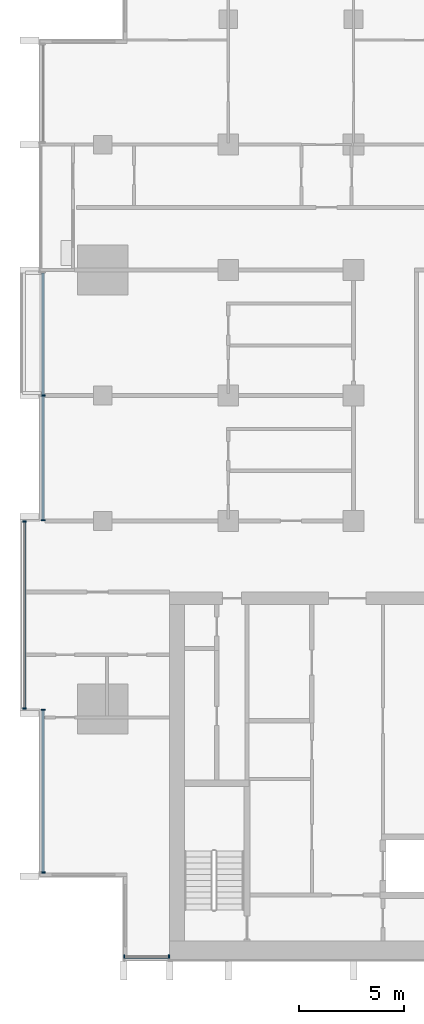
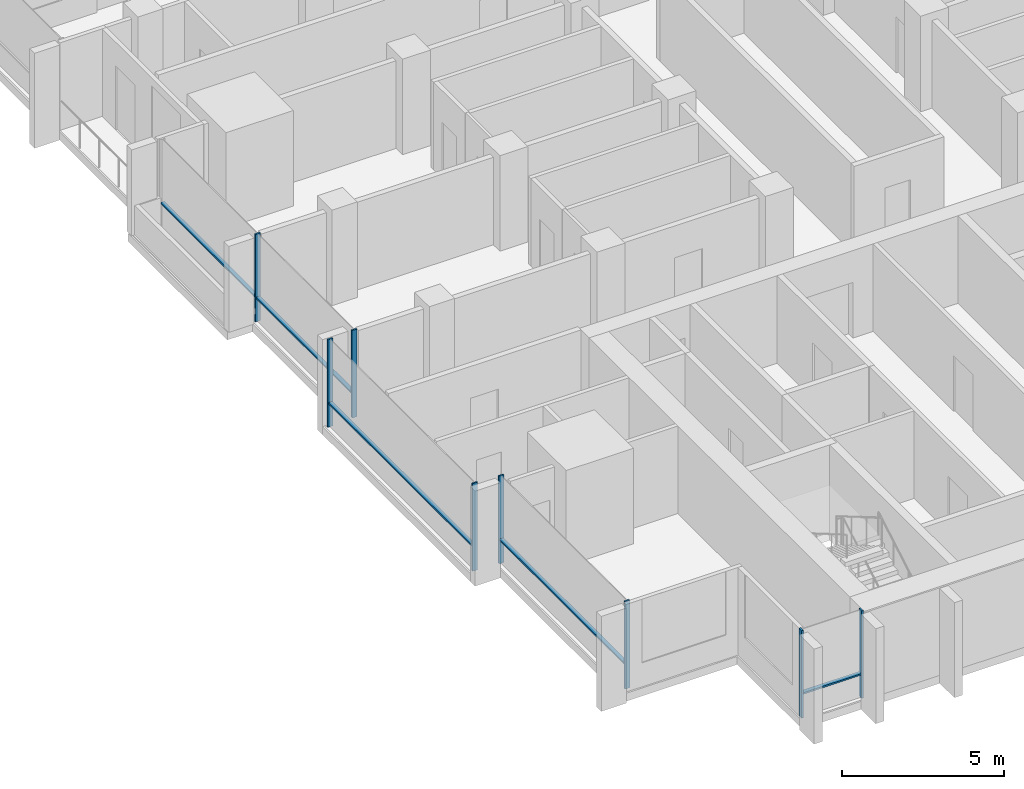
# One storey, part 2 of 17: 13 members, 4 elements without a shape of their own.
"""IFC4 building model written with IfcOpenShell, lengths in metres."""

from ifc_helpers import new_model, si_unit, direction, frame, origin, origin_2d, place, context, subcontext, project, spatial, rectangle, extrude, material, material_profile, profile_set, type_object, element, aggregate, save


model = new_model("IFC4")

# Units and contexts
model_context = context("Model", 3, precision=1e-05, world=origin(), true_north=direction((0.0, 1.0)))
body_context = subcontext(model_context, "Body", "Model", "MODEL_VIEW")
ifc_project = project(units=[si_unit("LENGTHUNIT", "METRE"), si_unit("AREAUNIT", "SQUARE_METRE"), si_unit("VOLUMEUNIT", "CUBIC_METRE"), si_unit("PLANEANGLEUNIT", "RADIAN"), si_unit("MASSUNIT", "GRAM", prefix="KILO")], contexts=[model_context])

# Site, building, storey
site_placement = place(None, origin())
site = spatial("IfcSite", under=ifc_project, at=site_placement, CompositionType="ELEMENT")
building_placement = place(site_placement, origin())
building = spatial("IfcBuilding", under=site, at=building_placement, Name="Finial Court Residences", CompositionType="ELEMENT")
storey_placement = place(building_placement, frame((0.0, 0.0, 181.699951171875)))
storey = spatial("IfcBuildingStorey", under=building, at=storey_placement, Name="L45", CompositionType="ELEMENT", Elevation=181.699951171875)

# Curtain wall, members
ifc_material = material(Name="Bronze anodised aluminium", Category="aluminium")
curtain_wall_type = type_object("IfcCurtainWallType", Name="Unitised curtain wall, upper zones", PredefinedType="NOTDEFINED", material=ifc_material)
curtain_wall_1_placement = place(storey_placement, origin())
curtain_wall_1 = element("IfcCurtainWall", 1, at=curtain_wall_1_placement, inside=storey, type_object=curtain_wall_type, Name="E-L45-CW-S7", PredefinedType="NOTDEFINED")
ifc_material_profile_1 = material_profile(ifc_material, rectangle(XDim=0.175048828125, YDim=0.06005859375, at=origin_2d()), Name="CW2 mullion 60 x 175")
ifc_profile_set_1 = profile_set([ifc_material_profile_1], Name="Bronze anodised aluminium")
member_type_1 = type_object("IfcMemberType", Name="CW2 mullion 60 x 175", PredefinedType="MULLION", material=ifc_profile_set_1)
member_1_placement = place(storey_placement, frame((-15.469970703125, -25.35009765625, 0.0), z_axis=(0.0, 0.0, 1.0), x_axis=(0.0, 1.0, 0.0)))
member_1 = element("IfcMember", 2, at=member_1_placement, type_object=member_type_1, Name="CW2 mullion 1", PredefinedType="MULLION", context=body_context, shape_type="SweptSolid", body=[
    extrude(rectangle(XDim=0.175048828125, YDim=0.06005859375, at=origin_2d()), origin(), (0.0, 0.0, 1.0), 3.300048828125),
])
member_2_placement = place(storey_placement, frame((-13.330078125, -25.35009765625, 0.0), z_axis=(0.0, 0.0, 1.0), x_axis=(0.0, 1.0, 0.0)))
member_2 = element("IfcMember", 3, at=member_2_placement, type_object=member_type_1, Name="CW2 mullion 2", PredefinedType="MULLION", context=body_context, shape_type="SweptSolid", body=[
    extrude(rectangle(XDim=0.175048828125, YDim=0.06005859375, at=origin_2d()), origin(), (0.0, 0.0, 1.0), 3.300048828125),
])

curtain_wall_2_placement = place(storey_placement, origin())
curtain_wall_2 = element("IfcCurtainWall", 4, at=curtain_wall_2_placement, inside=storey, type_object=curtain_wall_type, Name="E-L45-CW-W9", PredefinedType="NOTDEFINED")
member_3_placement = place(storey_placement, frame((-19.35009765625, -21.320068359375, 0.0), z_axis=(0.0, 0.0, 1.0), x_axis=(-1.0, 0.0, 0.0)))
member_3 = element("IfcMember", 5, at=member_3_placement, type_object=member_type_1, Name="CW2 mullion 1", PredefinedType="MULLION", context=body_context, shape_type="SweptSolid", body=[
    extrude(rectangle(XDim=0.175048828125, YDim=0.06005859375, at=origin_2d()), origin(), (0.0, 0.0, 1.0), 3.300048828125),
])
member_4_placement = place(storey_placement, frame((-19.35009765625, -13.530029296875, 0.0), z_axis=(0.0, 0.0, 1.0), x_axis=(-1.0, 0.0, 0.0)))
member_4 = element("IfcMember", 6, at=member_4_placement, type_object=member_type_1, Name="CW2 mullion 2", PredefinedType="MULLION", context=body_context, shape_type="SweptSolid", body=[
    extrude(rectangle(XDim=0.175048828125, YDim=0.06005859375, at=origin_2d()), origin(), (0.0, 0.0, 1.0), 3.300048828125),
])

curtain_wall_3_placement = place(storey_placement, origin())
curtain_wall_3 = element("IfcCurtainWall", 7, at=curtain_wall_3_placement, inside=storey, type_object=curtain_wall_type, Name="E-L45-CW-W10", PredefinedType="NOTDEFINED")
member_5_placement = place(storey_placement, frame((-20.25, -13.469970703125, 0.0), z_axis=(0.0, 0.0, 1.0), x_axis=(-1.0, 0.0, 0.0)))
member_5 = element("IfcMember", 8, at=member_5_placement, type_object=member_type_1, Name="CW2 mullion 1", PredefinedType="MULLION", context=body_context, shape_type="SweptSolid", body=[
    extrude(rectangle(XDim=0.175048828125, YDim=0.06005859375, at=origin_2d()), origin(), (0.0, 0.0, 1.0), 3.300048828125),
])
member_6_placement = place(storey_placement, frame((-20.25, -4.530029296875, 0.0), z_axis=(0.0, 0.0, 1.0), x_axis=(-1.0, 0.0, 0.0)))
member_6 = element("IfcMember", 9, at=member_6_placement, type_object=member_type_1, Name="CW2 mullion 2", PredefinedType="MULLION", context=body_context, shape_type="SweptSolid", body=[
    extrude(rectangle(XDim=0.175048828125, YDim=0.06005859375, at=origin_2d()), origin(), (0.0, 0.0, 1.0), 3.300048828125),
])

curtain_wall_4_placement = place(storey_placement, origin())
curtain_wall_4 = element("IfcCurtainWall", 10, at=curtain_wall_4_placement, inside=storey, type_object=curtain_wall_type, Name="E-L45-CW-W11", PredefinedType="NOTDEFINED")
member_7_placement = place(storey_placement, frame((-19.35009765625, -4.469970703125, 0.0), z_axis=(0.0, 0.0, 1.0), x_axis=(-1.0, 0.0, 0.0)))
member_7 = element("IfcMember", 11, at=member_7_placement, type_object=member_type_1, Name="CW2 mullion 1", PredefinedType="MULLION", context=body_context, shape_type="SweptSolid", body=[
    extrude(rectangle(XDim=0.175048828125, YDim=0.06005859375, at=origin_2d()), origin(), (0.0, 0.0, 1.0), 3.300048828125),
])
member_8_placement = place(storey_placement, frame((-19.35009765625, 1.5, 0.0), z_axis=(0.0, 0.0, 1.0), x_axis=(-1.0, 0.0, 0.0)))
member_8 = element("IfcMember", 12, at=member_8_placement, type_object=member_type_1, Name="CW2 mullion 2", PredefinedType="MULLION", context=body_context, shape_type="SweptSolid", body=[
    extrude(rectangle(XDim=0.175048828125, YDim=0.06005859375, at=origin_2d()), origin(), (0.0, 0.0, 1.0), 3.300048828125),
])

# Member
ifc_material_profile_2 = material_profile(ifc_material, rectangle(XDim=0.139892578125, YDim=0.06005859375, at=origin_2d()), Name="CW2 transom 60 x 140")
ifc_profile_set_2 = profile_set([ifc_material_profile_2], Name="Bronze anodised aluminium")
member_type_2 = type_object("IfcMemberType", Name="CW2 transom 60 x 140", PredefinedType="USERDEFINED", material=ifc_profile_set_2)
member_9_placement = place(storey_placement, frame((-15.43994140625, -25.35009765625, 0.900146484375), z_axis=(1.0, 0.0, 0.0), x_axis=(0.0, 1.0, 0.0)))
member_9 = element("IfcMember", 13, at=member_9_placement, type_object=member_type_2, Name="CW2 transom 1.1", ObjectType="TRANSOM", PredefinedType="USERDEFINED", context=body_context, shape_type="SweptSolid", body=[
    extrude(rectangle(XDim=0.139892578125, YDim=0.06005859375, at=origin_2d()), origin(), (0.0, 0.0, 1.0), 2.079833984375),
])

aggregate(curtain_wall_1, [member_1, member_2, member_9])

member_10_placement = place(storey_placement, frame((-19.35009765625, -21.2900390625, 0.900146484375), z_axis=(0.0, 1.0, 0.0), x_axis=(-1.0, 0.0, 0.0)))
member_10 = element("IfcMember", 14, at=member_10_placement, type_object=member_type_2, Name="CW2 transom 1.1", ObjectType="TRANSOM", PredefinedType="USERDEFINED", context=body_context, shape_type="SweptSolid", body=[
    extrude(rectangle(XDim=0.139892578125, YDim=0.06005859375, at=origin_2d()), origin(), (0.0, 0.0, 1.0), 7.72998046875),
])

aggregate(curtain_wall_2, [member_3, member_4, member_10])

member_11_placement = place(storey_placement, frame((-20.25, -13.43994140625, 0.900146484375), z_axis=(0.0, 1.0, 0.0), x_axis=(-1.0, 0.0, 0.0)))
member_11 = element("IfcMember", 15, at=member_11_placement, type_object=member_type_2, Name="CW2 transom 1.1", ObjectType="TRANSOM", PredefinedType="USERDEFINED", context=body_context, shape_type="SweptSolid", body=[
    extrude(rectangle(XDim=0.139892578125, YDim=0.06005859375, at=origin_2d()), origin(), (0.0, 0.0, 1.0), 8.8798828125),
])

aggregate(curtain_wall_3, [member_5, member_6, member_11])

member_12_placement = place(storey_placement, frame((-19.35009765625, -4.43994140625, 0.900146484375), z_axis=(0.0, 1.0, 0.0), x_axis=(-1.0, 0.0, 0.0)))
member_12 = element("IfcMember", 16, at=member_12_placement, type_object=member_type_2, Name="CW2 transom 1.1", ObjectType="TRANSOM", PredefinedType="USERDEFINED", context=body_context, shape_type="SweptSolid", body=[
    extrude(rectangle(XDim=0.139892578125, YDim=0.06005859375, at=origin_2d()), origin(), (0.0, 0.0, 1.0), 5.909912109375),
])

member_13_placement = place(storey_placement, frame((-19.35009765625, 1.530029296875, 0.900146484375), z_axis=(0.0, 1.0, 0.0), x_axis=(-1.0, 0.0, 0.0)))
member_13 = element("IfcMember", 17, at=member_13_placement, type_object=member_type_2, Name="CW2 transom 2.1", ObjectType="TRANSOM", PredefinedType="USERDEFINED", context=body_context, shape_type="SweptSolid", body=[
    extrude(rectangle(XDim=0.139892578125, YDim=0.06005859375, at=origin_2d()), origin(), (0.0, 0.0, 1.0), 5.8349609375),
])

aggregate(curtain_wall_4, [member_7, member_8, member_12, member_13])

save(model, "model.ifc")
